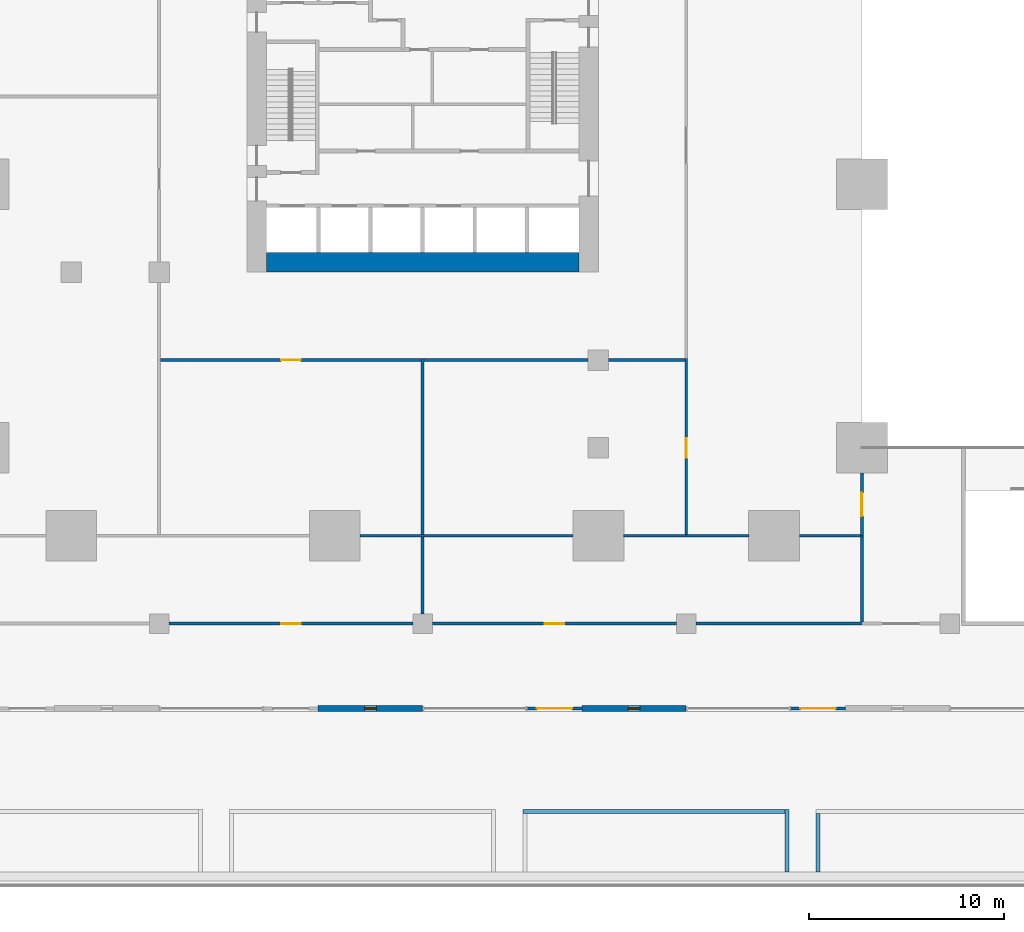
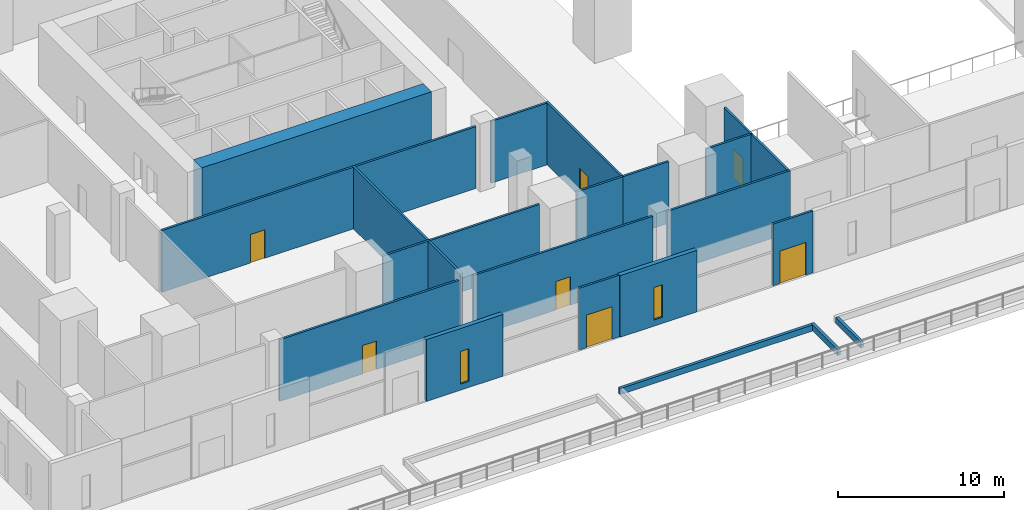
# One storey, part 29 of 49: 24 walls, 7 doors, 2 windows, 9 openings.
"""IFC4 building model written with IfcOpenShell, lengths in metres."""

from ifc_helpers import new_model, si_unit, direction, frame, frame_2d, origin, place, context, subcontext, project, spatial, rectangle, extrude, material, layer, layer_set, type_object, element, fill, save


model = new_model("IFC4")

# Units and contexts
model_context = context("Model", 3, precision=1e-05, world=origin(), true_north=direction((0.0, 1.0)))
body_context = subcontext(model_context, "Body", "Model", "MODEL_VIEW")
ifc_project = project(units=[si_unit("LENGTHUNIT", "METRE"), si_unit("AREAUNIT", "SQUARE_METRE"), si_unit("VOLUMEUNIT", "CUBIC_METRE"), si_unit("PLANEANGLEUNIT", "RADIAN"), si_unit("MASSUNIT", "GRAM", prefix="KILO")], contexts=[model_context])

# Site, building, storey
site_placement = place(None, origin())
site = spatial("IfcSite", under=ifc_project, at=site_placement, CompositionType="ELEMENT")
building_placement = place(site_placement, origin())
building = spatial("IfcBuilding", under=site, at=building_placement, Name="Altepetl Exchange Towers", CompositionType="ELEMENT")
storey_placement = place(building_placement, frame((0.0, 0.0, 11.5)))
storey = spatial("IfcBuildingStorey", under=building, at=storey_placement, Name="L02 Exchange podium", CompositionType="ELEMENT", Elevation=11.5)

# Wall
ifc_material_1 = material(Name="Concrete C70/85", Category="concrete")
ifc_layer_1 = layer(ifc_material_1, 1.0)
ifc_layer_set_1 = layer_set([ifc_layer_1], Name="Concrete C70/85")
wall_type_1 = type_object("IfcWallType", Name="Core wall 1000 reinforced concrete", PredefinedType="SHEAR", material=ifc_layer_set_1)
wall_1_placement = place(storey_placement, frame((41.5, 41.0, 0.0)))
element("IfcWall", 1, at=wall_1_placement, inside=storey, type_object=wall_type_1, Name="wall:A:L02:K-coreS", PredefinedType="SHEAR", context=body_context, shape_type="SweptSolid", body=[
    extrude(rectangle(XDim=16.0, YDim=1.0, at=frame_2d((8.0, 0.0))), origin(), (0.0, 0.0, 1.0), 4.5),
])

# Wall, opening, door
ifc_material_2 = material(Name="Aluminium composite cladding", Category="aluminium")
ifc_layer_2 = layer(ifc_material_2, 0.14990234375)
ifc_layer_set_2 = layer_set([ifc_layer_2], Name="Aluminium composite cladding")
wall_type_2 = type_object("IfcWallType", Name="Infill wall 150 aluminium panel", PredefinedType="SOLIDWALL", material=ifc_layer_set_2)
wall_2_placement = place(storey_placement, frame((54.85009765625, 18.14990234375, 0.0)))
wall_2 = element("IfcWall", 2, at=wall_2_placement, inside=storey, type_object=wall_type_2, Name="Door bay wall", PredefinedType="SOLIDWALL", context=body_context, shape_type="SweptSolid", body=[
    extrude(rectangle(XDim=2.7998046875, YDim=0.14990234375, at=frame_2d((1.39990234375, 0.0))), origin(), (0.0, 0.0, 1.0), 4.550048828125),
])
opening_1_placement = place(wall_2_placement, frame((0.5, 0.0, 0.0)))
opening_1 = element("IfcOpeningElement", 3, at=opening_1_placement, cuts=wall_2, Name="Opening L02.E13", PredefinedType="OPENING", context=body_context, shape_type="SweptSolid", body=[
    extrude(rectangle(XDim=1.800048828125, YDim=2.39990234375, at=frame_2d((0.89990234375, 1.199951171875))), frame((0.0, 0.0849609375, 0.0), z_axis=(0.0, -1.0, 0.0), x_axis=(1.0, 0.0, 0.0)), (0.0, 0.0, 1.0), 0.169921875),
])
ifc_material_3 = material(Name="Aluminium 6063-T6 and glass", Category="aluminium")
door_type_1 = type_object("IfcDoorType", Name="Glazed door pair 1800x2400", OperationType="DOUBLE_DOOR_DOUBLE_SWING", PredefinedType="NOTDEFINED", material=ifc_material_3)
door_1_placement = place(opening_1_placement, frame((1.800048828125, 0.0, 0.0), x_axis=(-1.0, 0.0, 0.0)))
door_1 = element("IfcDoor", 4, at=door_1_placement, inside=storey, type_object=door_type_1, Name="Terrace door", OperationType="DOUBLE_DOOR_DOUBLE_SWING", OverallHeight=2.39990234375, OverallWidth=1.800048828125, PredefinedType="NOTDEFINED", context=body_context, shape_type="SweptSolid", body=[
    extrude(rectangle(XDim=1.800048828125, YDim=2.39990234375, at=frame_2d((0.89990234375, 1.199951171875))), frame((0.0, 0.02490234375, 0.0), z_axis=(0.0, -1.0, 0.0), x_axis=(1.0, 0.0, 0.0)), (0.0, 0.0, 1.0), 0.050048828125),
])
fill(opening_1, door_1)

wall_3_placement = place(storey_placement, frame((68.35009765625, 18.14990234375, 0.0)))
wall_3 = element("IfcWall", 5, at=wall_3_placement, inside=storey, type_object=wall_type_2, Name="Door bay wall", PredefinedType="SOLIDWALL", context=body_context, shape_type="SweptSolid", body=[
    extrude(rectangle(XDim=2.7998046875, YDim=0.14990234375, at=frame_2d((1.39990234375, 0.0))), origin(), (0.0, 0.0, 1.0), 4.550048828125),
])
opening_2_placement = place(wall_3_placement, frame((0.5, 0.0, 0.0)))
opening_2 = element("IfcOpeningElement", 6, at=opening_2_placement, cuts=wall_3, Name="Opening L02.E14", PredefinedType="OPENING", context=body_context, shape_type="SweptSolid", body=[
    extrude(rectangle(XDim=1.800048828125, YDim=2.39990234375, at=frame_2d((0.89990234375, 1.199951171875))), frame((0.0, 0.0849609375, 0.0), z_axis=(0.0, -1.0, 0.0), x_axis=(1.0, 0.0, 0.0)), (0.0, 0.0, 1.0), 0.169921875),
])
door_2_placement = place(opening_2_placement, frame((1.800048828125, 0.0, 0.0), x_axis=(-1.0, 0.0, 0.0)))
door_2 = element("IfcDoor", 7, at=door_2_placement, inside=storey, type_object=door_type_1, Name="Terrace door", OperationType="DOUBLE_DOOR_DOUBLE_SWING", OverallHeight=2.39990234375, OverallWidth=1.800048828125, PredefinedType="NOTDEFINED", context=body_context, shape_type="SweptSolid", body=[
    extrude(rectangle(XDim=1.800048828125, YDim=2.39990234375, at=frame_2d((0.89990234375, 1.199951171875))), frame((0.0, 0.02490234375, 0.0), z_axis=(0.0, -1.0, 0.0), x_axis=(1.0, 0.0, 0.0)), (0.0, 0.0, 1.0), 0.050048828125),
])
fill(opening_2, door_2)

# Walls
ifc_material_4 = material(Name="Reinforced concrete C35/45", Category="concrete")
ifc_layer_3 = layer(ifc_material_4, 0.199951171875)
ifc_layer_set_3 = layer_set([ifc_layer_3], Name="Reinforced concrete C35/45")
wall_type_3 = type_object("IfcWallType", Name="Planting bed curb 200", PredefinedType="SOLIDWALL", material=ifc_layer_set_3)
wall_4_placement = place(storey_placement, frame((68.158203125, 9.77490234375, 0.0), z_axis=(0.0, 0.0, 1.0), x_axis=(0.0, 1.0, 0.0)))
element("IfcWall", 8, at=wall_4_placement, inside=storey, type_object=wall_type_3, Name="wall:P:L02:CB07e", PredefinedType="SOLIDWALL", context=body_context, shape_type="SweptSolid", body=[
    extrude(rectangle(XDim=3.2001953125, YDim=0.199951171875, at=frame_2d((1.60009765625, 0.0))), origin(), (0.0, 0.0, 1.0), 0.449951171875),
])
wall_5_placement = place(storey_placement, frame((54.637451171875, 12.875, 0.0)))
element("IfcWall", 9, at=wall_5_placement, inside=storey, type_object=wall_type_3, Name="wall:P:L02:CB07n", PredefinedType="SOLIDWALL", context=body_context, shape_type="SweptSolid", body=[
    extrude(rectangle(XDim=13.4208984375, YDim=0.199951171875, at=frame_2d((6.71044921875, 0.0))), origin(), (0.0, 0.0, 1.0), 0.449951171875),
])
wall_6_placement = place(storey_placement, frame((69.75830078125, 9.77490234375, 0.0), z_axis=(0.0, 0.0, 1.0), x_axis=(0.0, 1.0, 0.0)))
element("IfcWall", 10, at=wall_6_placement, inside=storey, type_object=wall_type_3, Name="wall:P:L02:CB08w", PredefinedType="SOLIDWALL", context=body_context, shape_type="SweptSolid", body=[
    extrude(rectangle(XDim=3.0, YDim=0.199951171875, at=frame_2d((1.5, 0.0))), origin(), (0.0, 0.0, 1.0), 0.449951171875),
])

# Wall, opening, door
ifc_material_5 = material(Name="Gypsum board on steel studs", Category="steel")
ifc_layer_4 = layer(ifc_material_5, 0.14990234375)
ifc_layer_set_4 = layer_set([ifc_layer_4], Name="Gypsum board on steel studs")
wall_type_4 = type_object("IfcWallType", Name="Podium partition 150", PredefinedType="PARTITIONING", material=ifc_layer_set_4)
wall_7_placement = place(storey_placement, frame((36.4951171875, 22.5, 0.0)))
wall_7 = element("IfcWall", 11, at=wall_7_placement, inside=storey, type_object=wall_type_4, Name="wall:P:L02:P019", PredefinedType="PARTITIONING", context=body_context, shape_type="SweptSolid", body=[
    extrude(rectangle(XDim=12.509765625, YDim=0.14990234375, at=frame_2d((6.2548828125, 0.0))), origin(), (0.0, 0.0, 1.0), 4.550048828125),
])
opening_3_placement = place(wall_7_placement, frame((5.75, 0.0, 0.0)))
opening_3 = element("IfcOpeningElement", 12, at=opening_3_placement, cuts=wall_7, Name="Opening L02.P004", PredefinedType="OPENING", context=body_context, shape_type="SweptSolid", body=[
    extrude(rectangle(XDim=1.0, YDim=2.10009765625, at=frame_2d((0.5, 1.050048828125))), frame((0.0, 0.0849609375, 0.0), z_axis=(0.0, -1.0, 0.0), x_axis=(1.0, 0.0, 0.0)), (0.0, 0.0, 1.0), 0.169921875),
])
ifc_material_6 = material(Name="Steel and timber fire door", Category="steel")
door_type_2 = type_object("IfcDoorType", Name="Podium fire door 1000 x 2100 single leaf", OperationType="SINGLE_SWING_LEFT", PredefinedType="DOOR", material=ifc_material_6)
door_3_placement = place(opening_3_placement, origin())
door_3 = element("IfcDoor", 13, at=door_3_placement, inside=storey, type_object=door_type_2, Name="door:P:L02:004", OperationType="SINGLE_SWING_RIGHT", OverallHeight=2.10009765625, OverallWidth=1.0, PredefinedType="DOOR", context=body_context, shape_type="SweptSolid", body=[
    extrude(rectangle(XDim=1.0, YDim=2.10009765625, at=frame_2d((0.5, 1.050048828125))), frame((0.0, 0.02490234375, 0.0), z_axis=(0.0, -1.0, 0.0), x_axis=(1.0, 0.0, 0.0)), (0.0, 0.0, 1.0), 0.050048828125),
])
fill(opening_3, door_3)

wall_8_placement = place(storey_placement, frame((49.9951171875, 22.5, 0.0)))
wall_8 = element("IfcWall", 14, at=wall_8_placement, inside=storey, type_object=wall_type_4, Name="wall:P:L02:P020", PredefinedType="PARTITIONING", context=body_context, shape_type="SweptSolid", body=[
    extrude(rectangle(XDim=12.509765625, YDim=0.14990234375, at=frame_2d((6.2548828125, 0.0))), origin(), (0.0, 0.0, 1.0), 4.550048828125),
])
opening_4_placement = place(wall_8_placement, frame((5.75, 0.0, 0.0)))
opening_4 = element("IfcOpeningElement", 15, at=opening_4_placement, cuts=wall_8, Name="Opening L02.P005", PredefinedType="OPENING", context=body_context, shape_type="SweptSolid", body=[
    extrude(rectangle(XDim=1.0, YDim=2.10009765625, at=frame_2d((0.5, 1.050048828125))), frame((0.0, 0.0849609375, 0.0), z_axis=(0.0, -1.0, 0.0), x_axis=(1.0, 0.0, 0.0)), (0.0, 0.0, 1.0), 0.169921875),
])
door_4_placement = place(opening_4_placement, origin())
door_4 = element("IfcDoor", 16, at=door_4_placement, inside=storey, type_object=door_type_2, Name="door:P:L02:005", OperationType="SINGLE_SWING_RIGHT", OverallHeight=2.10009765625, OverallWidth=1.0, PredefinedType="DOOR", context=body_context, shape_type="SweptSolid", body=[
    extrude(rectangle(XDim=1.0, YDim=2.10009765625, at=frame_2d((0.5, 1.050048828125))), frame((0.0, 0.02490234375, 0.0), z_axis=(0.0, -1.0, 0.0), x_axis=(1.0, 0.0, 0.0)), (0.0, 0.0, 1.0), 0.050048828125),
])
fill(opening_4, door_4)

# Walls
wall_9_placement = place(storey_placement, frame((63.4951171875, 22.5, 0.0)))
element("IfcWall", 17, at=wall_9_placement, inside=storey, type_object=wall_type_4, Name="wall:P:L02:P021", PredefinedType="PARTITIONING", context=body_context, shape_type="SweptSolid", body=[
    extrude(rectangle(XDim=8.579833984375, YDim=0.14990234375, at=frame_2d((4.2900390625, 0.0))), origin(), (0.0, 0.0, 1.0), 4.550048828125),
])
wall_10_placement = place(storey_placement, frame((49.5, 22.9951171875, 0.0), z_axis=(0.0, 0.0, 1.0), x_axis=(0.0, 1.0, 0.0)))
element("IfcWall", 18, at=wall_10_placement, inside=storey, type_object=wall_type_4, Name="wall:P:L02:P060", PredefinedType="PARTITIONING", context=body_context, shape_type="SweptSolid", body=[
    extrude(rectangle(XDim=4.079833984375, YDim=0.14990234375, at=frame_2d((2.0400390625, 0.0))), origin(), (0.0, 0.0, 1.0), 4.550048828125),
])
for number, where, name in (
    (19, (46.294921875, 27.0, 0.0), "wall:P:L02:P062"),
    (20, (62.925048828125, 27.0, 0.0), "wall:P:L02:P065"),
    (21, (68.794921875, 27.0, 0.0), "wall:P:L02:P066"),
):
    element("IfcWall", number, at=place(storey_placement, frame(where)), inside=storey, type_object=wall_type_4, Name=name, PredefinedType="PARTITIONING", context=body_context, shape_type="SweptSolid", body=[
        extrude(rectangle(XDim=3.280029296875, YDim=0.14990234375, at=frame_2d((1.64013671875, 0.0))), origin(), (0.0, 0.0, 1.0), 4.550048828125),
    ])
wall_11_placement = place(storey_placement, frame((49.574951171875, 27.0, 0.0)))
element("IfcWall", 22, at=wall_11_placement, inside=storey, type_object=wall_type_4, Name="wall:P:L02:P067", PredefinedType="PARTITIONING", context=body_context, shape_type="SweptSolid", body=[
    extrude(rectangle(XDim=7.630126953125, YDim=0.14990234375, at=frame_2d((3.81494140625, 0.0))), origin(), (0.0, 0.0, 1.0), 4.550048828125),
])
wall_12_placement = place(storey_placement, frame((59.794921875, 27.0, 0.0)))
element("IfcWall", 23, at=wall_12_placement, inside=storey, type_object=wall_type_4, Name="wall:P:L02:P068", PredefinedType="PARTITIONING", context=body_context, shape_type="SweptSolid", body=[
    extrude(rectangle(XDim=3.205078125, YDim=0.14990234375, at=frame_2d((1.6025390625, 0.0))), origin(), (0.0, 0.0, 1.0), 4.550048828125),
])
wall_13_placement = place(storey_placement, frame((72.0, 22.574951171875, 0.0), z_axis=(0.0, 0.0, 1.0), x_axis=(0.0, 1.0, 0.0)))
element("IfcWall", 24, at=wall_13_placement, inside=storey, type_object=wall_type_4, Name="wall:P:L02:P069", PredefinedType="PARTITIONING", context=body_context, shape_type="SweptSolid", body=[
    extrude(rectangle(XDim=4.35009765625, YDim=0.14990234375, at=frame_2d((2.175048828125, 0.0))), origin(), (0.0, 0.0, 1.0), 4.550048828125),
])

# Wall, opening, door
wall_14_placement = place(storey_placement, frame((63.0, 27.074951171875, 0.0), z_axis=(0.0, 0.0, 1.0), x_axis=(0.0, 1.0, 0.0)))
wall_14 = element("IfcWall", 25, at=wall_14_placement, inside=storey, type_object=wall_type_4, Name="wall:P:L02:P080", PredefinedType="PARTITIONING", context=body_context, shape_type="SweptSolid", body=[
    extrude(rectangle(XDim=9.0, YDim=0.14990234375, at=frame_2d((4.5, 0.0))), origin(), (0.0, 0.0, 1.0), 4.550048828125),
])
opening_5_placement = place(wall_14_placement, frame((3.925048828125, 0.0, 0.0)))
opening_5 = element("IfcOpeningElement", 26, at=opening_5_placement, cuts=wall_14, Name="Opening L02.P009", PredefinedType="OPENING", context=body_context, shape_type="SweptSolid", body=[
    extrude(rectangle(XDim=1.0, YDim=2.10009765625, at=frame_2d((0.5, 1.050048828125))), frame((0.0, 0.0849609375, 0.0), z_axis=(0.0, -1.0, 0.0), x_axis=(1.0, 0.0, 0.0)), (0.0, 0.0, 1.0), 0.169921875),
])
door_5_placement = place(opening_5_placement, origin())
door_5 = element("IfcDoor", 27, at=door_5_placement, inside=storey, type_object=door_type_2, Name="door:P:L02:009", OperationType="SINGLE_SWING_RIGHT", OverallHeight=2.10009765625, OverallWidth=1.0, PredefinedType="DOOR", context=body_context, shape_type="SweptSolid", body=[
    extrude(rectangle(XDim=1.0, YDim=2.10009765625, at=frame_2d((0.5, 1.050048828125))), frame((0.0, 0.02490234375, 0.0), z_axis=(0.0, -1.0, 0.0), x_axis=(1.0, 0.0, 0.0)), (0.0, 0.0, 1.0), 0.050048828125),
])
fill(opening_5, door_5)

wall_15_placement = place(storey_placement, frame((72.0, 27.0, 0.0), z_axis=(0.0, 0.0, 1.0), x_axis=(0.0, 1.0, 0.0)))
wall_15 = element("IfcWall", 28, at=wall_15_placement, inside=storey, type_object=wall_type_4, Name="wall:P:L02:P084", PredefinedType="PARTITIONING", context=body_context, shape_type="SweptSolid", body=[
    extrude(rectangle(XDim=3.205078125, YDim=0.14990234375, at=frame_2d((1.6025390625, 0.0))), origin(), (0.0, 0.0, 1.0), 4.550048828125),
])
opening_6_placement = place(wall_15_placement, frame((1.0, 0.0, 0.0)))
opening_6 = element("IfcOpeningElement", 29, at=opening_6_placement, cuts=wall_15, Name="Opening L02.P042", PredefinedType="OPENING", context=body_context, shape_type="SweptSolid", body=[
    extrude(rectangle(XDim=1.199951171875, YDim=2.10009765625, at=frame_2d((0.60009765625, 1.050048828125))), frame((0.0, 0.0849609375, 0.0), z_axis=(0.0, -1.0, 0.0), x_axis=(1.0, 0.0, 0.0)), (0.0, 0.0, 1.0), 0.169921875),
])
ifc_material_7 = material(Name="Steel fire door", Category="steel")
door_type_3 = type_object("IfcDoorType", Name="Podium fire door 1200 x 2100 double leaf", OperationType="DOUBLE_DOOR_SINGLE_SWING", PredefinedType="DOOR", material=ifc_material_7)
door_6_placement = place(opening_6_placement, frame((1.199951171875, 0.0, 0.0), x_axis=(-1.0, 0.0, 0.0)))
door_6 = element("IfcDoor", 30, at=door_6_placement, inside=storey, type_object=door_type_3, Name="door:P:L02:042", OperationType="DOUBLE_DOOR_SINGLE_SWING", OverallHeight=2.10009765625, OverallWidth=1.199951171875, PredefinedType="DOOR", context=body_context, shape_type="SweptSolid", body=[
    extrude(rectangle(XDim=1.199951171875, YDim=2.10009765625, at=frame_2d((0.60009765625, 1.050048828125))), frame((0.0, 0.02490234375, 0.0), z_axis=(0.0, -1.0, 0.0), x_axis=(1.0, 0.0, 0.0)), (0.0, 0.0, 1.0), 0.050048828125),
])
fill(opening_6, door_6)

# Wall
wall_16_placement = place(storey_placement, frame((49.5, 27.074951171875, 0.0), z_axis=(0.0, 0.0, 1.0), x_axis=(0.0, 1.0, 0.0)))
element("IfcWall", 31, at=wall_16_placement, inside=storey, type_object=wall_type_4, Name="wall:P:L02:P086", PredefinedType="PARTITIONING", context=body_context, shape_type="SweptSolid", body=[
    extrude(rectangle(XDim=9.0, YDim=0.14990234375, at=frame_2d((4.5, 0.0))), origin(), (0.0, 0.0, 1.0), 4.550048828125),
])

# Wall, opening, door
wall_17_placement = place(storey_placement, frame((36.074951171875, 36.0, 0.0)))
wall_17 = element("IfcWall", 32, at=wall_17_placement, inside=storey, type_object=wall_type_4, Name="wall:P:L02:P088", PredefinedType="PARTITIONING", context=body_context, shape_type="SweptSolid", body=[
    extrude(rectangle(XDim=13.425048828125, YDim=0.14990234375, at=frame_2d((6.71240234375, 0.0))), origin(), (0.0, 0.0, 1.0), 4.550048828125),
])
opening_7_placement = place(wall_17_placement, frame((6.175048828125, 0.0, 0.0)))
opening_7 = element("IfcOpeningElement", 33, at=opening_7_placement, cuts=wall_17, Name="Opening L02.P008", PredefinedType="OPENING", context=body_context, shape_type="SweptSolid", body=[
    extrude(rectangle(XDim=1.0, YDim=2.10009765625, at=frame_2d((0.5, 1.050048828125))), frame((0.0, 0.0849609375, 0.0), z_axis=(0.0, -1.0, 0.0), x_axis=(1.0, 0.0, 0.0)), (0.0, 0.0, 1.0), 0.169921875),
])
door_7_placement = place(opening_7_placement, frame((1.0, 0.0, 0.0), x_axis=(-1.0, 0.0, 0.0)))
door_7 = element("IfcDoor", 34, at=door_7_placement, inside=storey, type_object=door_type_2, Name="door:P:L02:008", OperationType="SINGLE_SWING_LEFT", OverallHeight=2.10009765625, OverallWidth=1.0, PredefinedType="DOOR", context=body_context, shape_type="SweptSolid", body=[
    extrude(rectangle(XDim=1.0, YDim=2.10009765625, at=frame_2d((0.5, 1.050048828125))), frame((0.0, 0.02490234375, 0.0), z_axis=(0.0, -1.0, 0.0), x_axis=(1.0, 0.0, 0.0)), (0.0, 0.0, 1.0), 0.050048828125),
])
fill(opening_7, door_7)

# Walls
wall_18_placement = place(storey_placement, frame((49.574951171875, 36.0, 0.0)))
element("IfcWall", 35, at=wall_18_placement, inside=storey, type_object=wall_type_4, Name="wall:P:L02:P089", PredefinedType="PARTITIONING", context=body_context, shape_type="SweptSolid", body=[
    extrude(rectangle(XDim=8.405029296875, YDim=0.14990234375, at=frame_2d((4.20263671875, 0.0))), origin(), (0.0, 0.0, 1.0), 4.550048828125),
])
wall_19_placement = place(storey_placement, frame((59.02001953125, 36.0, 0.0)))
element("IfcWall", 36, at=wall_19_placement, inside=storey, type_object=wall_type_4, Name="wall:P:L02:P090", PredefinedType="PARTITIONING", context=body_context, shape_type="SweptSolid", body=[
    extrude(rectangle(XDim=3.905029296875, YDim=0.14990234375, at=frame_2d((1.95263671875, 0.0))), origin(), (0.0, 0.0, 1.0), 4.550048828125),
])

# Wall, opening, window
ifc_material_8 = material(Name="Cantera limestone cladding", Category="masonry")
ifc_layer_5 = layer(ifc_material_8, 0.300048828125)
ifc_layer_set_5 = layer_set([ifc_layer_5], Name="Cantera limestone cladding")
wall_type_5 = type_object("IfcWallType", Name="Stone wall panel 300", PredefinedType="ELEMENTEDWALL", material=ifc_layer_set_5)
wall_20_placement = place(storey_placement, frame((44.14990234375, 18.14990234375, 0.0)))
wall_20 = element("IfcWall", 37, at=wall_20_placement, inside=storey, type_object=wall_type_5, Name="Stone wall panel", PredefinedType="ELEMENTEDWALL", context=body_context, shape_type="SweptSolid", body=[
    extrude(rectangle(XDim=5.35009765625, YDim=0.300048828125, at=frame_2d((2.675048828125, 0.0))), origin(), (0.0, 0.0, 1.0), 4.550048828125),
])
opening_8_placement = place(wall_20_placement, frame((2.375, 0.0, 0.449951171875)))
opening_8 = element("IfcOpeningElement", 38, at=opening_8_placement, cuts=wall_20, Name="Opening W3", PredefinedType="OPENING", context=body_context, shape_type="SweptSolid", body=[
    extrude(rectangle(XDim=0.60009765625, YDim=2.39990234375, at=frame_2d((0.300048828125, 1.199951171875))), frame((0.0, 0.16015625, 0.0), z_axis=(0.0, -1.0, 0.0), x_axis=(1.0, 0.0, 0.0)), (0.0, 0.0, 1.0), 0.320068359375),
])
window_type = type_object("IfcWindowType", Name="Tall slot window 600x2400", PartitioningType="SINGLE_PANEL", PredefinedType="WINDOW", material=ifc_material_3)
window_1_placement = place(opening_8_placement, origin())
window_1 = element("IfcWindow", 39, at=window_1_placement, inside=storey, type_object=window_type, Name="Window", OverallHeight=2.39990234375, OverallWidth=0.60009765625, PartitioningType="SINGLE_PANEL", PredefinedType="WINDOW", context=body_context, shape_type="SweptSolid", body=[
    extrude(rectangle(XDim=0.60009765625, YDim=2.39990234375, at=frame_2d((0.300048828125, 1.199951171875))), frame((0.0, 0.030029296875, 0.0), z_axis=(0.0, -1.0, 0.0), x_axis=(1.0, 0.0, 0.0)), (0.0, 0.0, 1.0), 0.06005859375),
])
fill(opening_8, window_1)

wall_21_placement = place(storey_placement, frame((57.64990234375, 18.14990234375, 0.0)))
wall_21 = element("IfcWall", 40, at=wall_21_placement, inside=storey, type_object=wall_type_5, Name="Stone wall panel", PredefinedType="ELEMENTEDWALL", context=body_context, shape_type="SweptSolid", body=[
    extrude(rectangle(XDim=5.35009765625, YDim=0.300048828125, at=frame_2d((2.675048828125, 0.0))), origin(), (0.0, 0.0, 1.0), 4.550048828125),
])
opening_9_placement = place(wall_21_placement, frame((2.375, 0.0, 0.449951171875)))
opening_9 = element("IfcOpeningElement", 41, at=opening_9_placement, cuts=wall_21, Name="Opening W3", PredefinedType="OPENING", context=body_context, shape_type="SweptSolid", body=[
    extrude(rectangle(XDim=0.60009765625, YDim=2.39990234375, at=frame_2d((0.300048828125, 1.199951171875))), frame((0.0, 0.16015625, 0.0), z_axis=(0.0, -1.0, 0.0), x_axis=(1.0, 0.0, 0.0)), (0.0, 0.0, 1.0), 0.320068359375),
])
window_2_placement = place(opening_9_placement, origin())
window_2 = element("IfcWindow", 42, at=window_2_placement, inside=storey, type_object=window_type, Name="Window", OverallHeight=2.39990234375, OverallWidth=0.60009765625, PartitioningType="SINGLE_PANEL", PredefinedType="WINDOW", context=body_context, shape_type="SweptSolid", body=[
    extrude(rectangle(XDim=0.60009765625, YDim=2.39990234375, at=frame_2d((0.300048828125, 1.199951171875))), frame((0.0, 0.030029296875, 0.0), z_axis=(0.0, -1.0, 0.0), x_axis=(1.0, 0.0, 0.0)), (0.0, 0.0, 1.0), 0.06005859375),
])
fill(opening_9, window_2)

save(model, "model.ifc")
